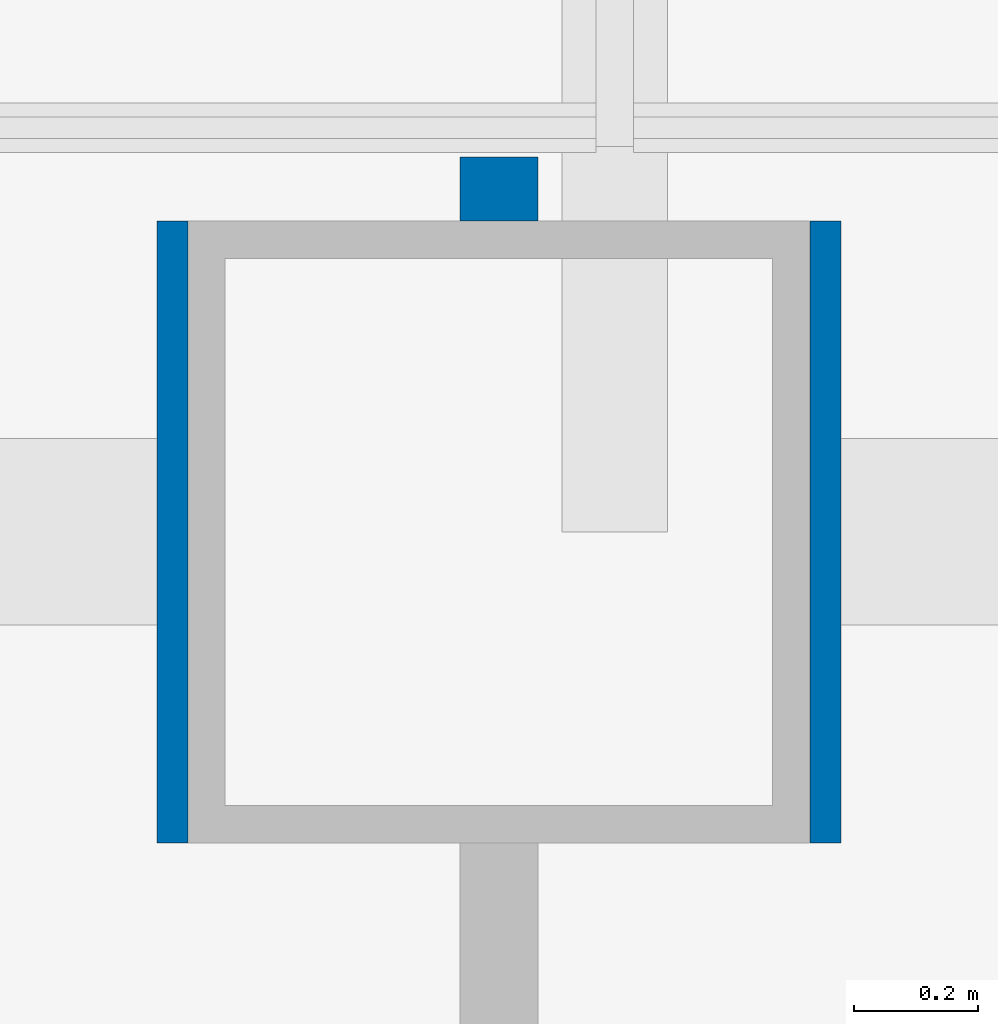
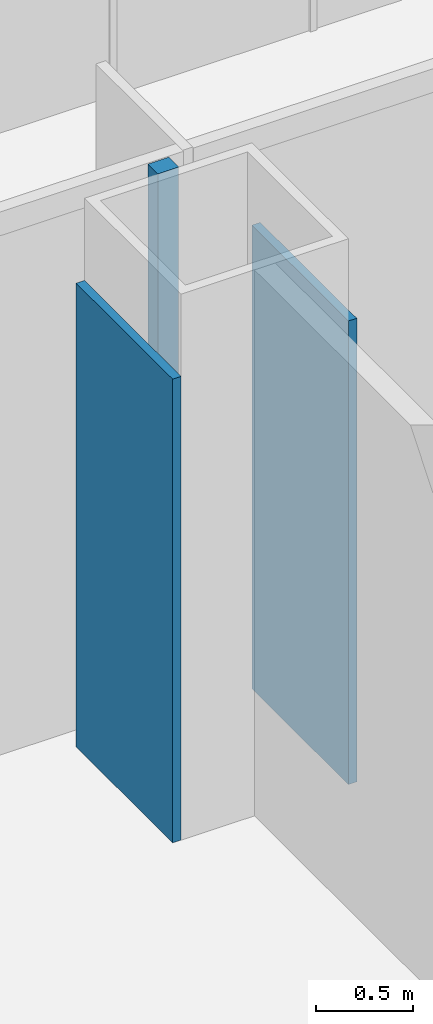
# One storey, part 15 of 18: 3 walls.
"""IFC4 building model written with IfcOpenShell, lengths in metres."""

from ifc_helpers import new_model, si_unit, direction, frame, frame_2d, origin, place, context, subcontext, project, spatial, rectangle, extrude, material, layer, layer_set, type_object, element, save


model = new_model("IFC4")

# Units and contexts
model_context = context("Model", 3, precision=1e-05, world=origin(), true_north=direction((0.0, 1.0)))
body_context = subcontext(model_context, "Body", "Model", "MODEL_VIEW")
ifc_project = project(units=[si_unit("LENGTHUNIT", "METRE"), si_unit("AREAUNIT", "SQUARE_METRE"), si_unit("VOLUMEUNIT", "CUBIC_METRE"), si_unit("PLANEANGLEUNIT", "RADIAN"), si_unit("MASSUNIT", "GRAM", prefix="KILO")], contexts=[model_context])

# Site, building, storey
site_placement = place(None, origin())
site = spatial("IfcSite", under=ifc_project, at=site_placement, CompositionType="ELEMENT")
building_placement = place(site_placement, origin())
building = spatial("IfcBuilding", under=site, at=building_placement, Name="Cairn Pilgrim Tower", CompositionType="ELEMENT")
storey_placement = place(building_placement, frame((0.0, 0.0, 40.199951171875)))
storey = spatial("IfcBuildingStorey", under=building, at=storey_placement, Name="L07", CompositionType="ELEMENT", Elevation=40.199951171875)

# Walls
ifc_material = material(Name="Gypsum partition")
ifc_layer_1 = layer(ifc_material, 0.125)
ifc_layer_set_1 = layer_set([ifc_layer_1], Name="PARTITION 125 DRYWALL EI 60")
wall_type_1 = type_object("IfcWallType", Name="PARTITION 125 DRYWALL EI 60", PredefinedType="PARTITIONING", material=ifc_layer_set_1)
wall_placement = place(storey_placement, frame((9.4140625, 23.60009765625, 0.0), z_axis=(0.0, 0.0, 1.0), x_axis=(0.0, 1.0, 0.0)))
element("IfcWall", 1, at=wall_placement, inside=storey, type_object=wall_type_1, Name="PARTITION W088", PredefinedType="PARTITIONING", context=body_context, shape_type="SweptSolid", body=[
    extrude(rectangle(XDim=0.102783203125, YDim=0.125, at=frame_2d((0.05126953125, 0.0))), origin(), (0.0, 0.0, 1.0), 3.449951171875),
])
ifc_layer_2 = layer(ifc_material, 0.050048828125)
ifc_layer_set_2 = layer_set([ifc_layer_2], Name="PARTITION 50 DRYWALL EI 60")
wall_type_2 = type_object("IfcWallType", Name="PARTITION 50 DRYWALL EI 60", PredefinedType="PARTITIONING", material=ifc_layer_set_2)
for number, where, z_axis, x_axis, name in (
    (2, (8.888671875, 22.60009765625, 0.0), (0.0, 0.0, 1.0), (0.0, 1.0, 0.0), "COLUMN CASING WC39"),
    (3, (9.938720703125, 22.60009765625, 0.0), (0.0, 0.0, 1.0), (0.0, 1.0, 0.0), "COLUMN CASING WC40"),
):
    element("IfcWall", number, at=place(storey_placement, frame(where, z_axis=z_axis, x_axis=x_axis)), inside=storey, type_object=wall_type_2, Name=name, PredefinedType="PARTITIONING", context=body_context, shape_type="SweptSolid", body=[
        extrude(rectangle(XDim=1.0, YDim=0.050048828125, at=frame_2d((0.5, 0.0))), origin(), (0.0, 0.0, 1.0), 2.929931640625),
    ])

save(model, "model.ifc")
